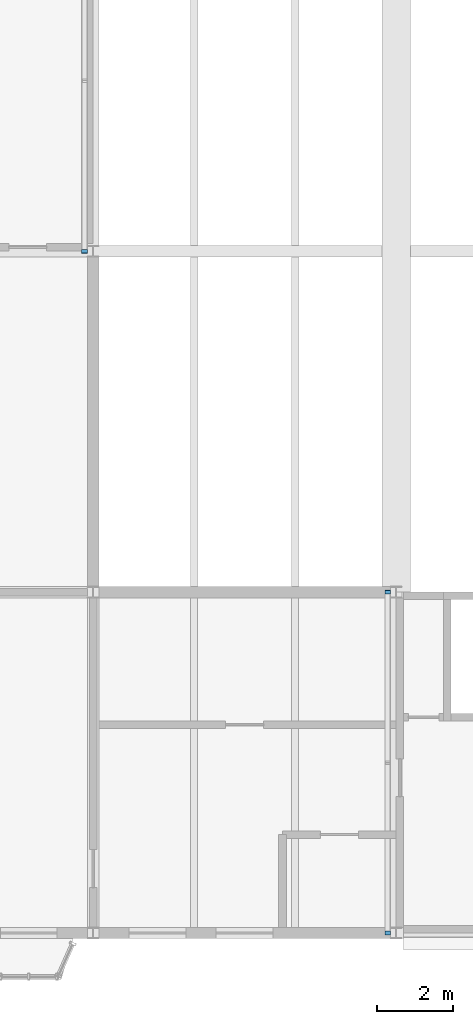
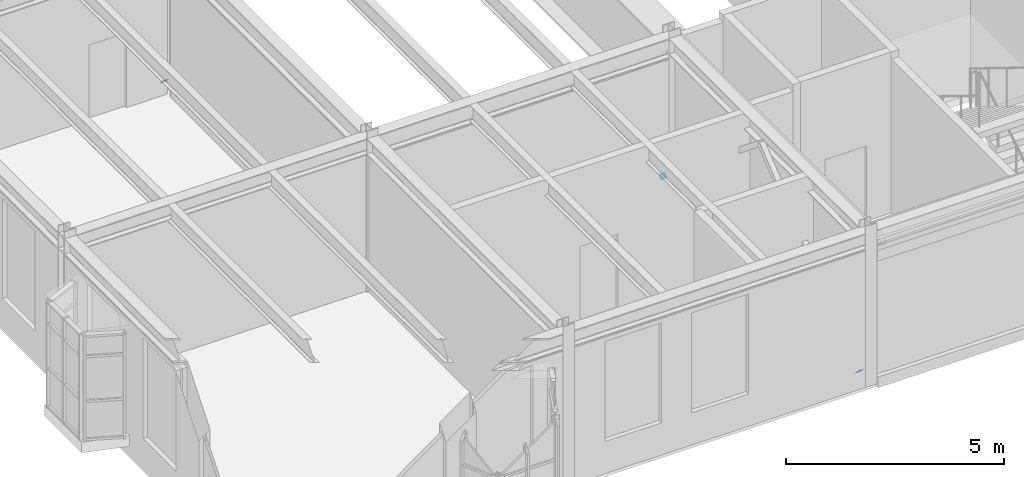
# One storey, part 111 of 153: 3 discrete accessories.
"""IFC4 building model written with IfcOpenShell, lengths in metres."""

from ifc_helpers import new_model, si_unit, direction, frame, origin, origin_2d, place, context, subcontext, project, spatial, rectangle, extrude, material, material_profile, profile_set, type_object, element, save


model = new_model("IFC4")

# Units and contexts
model_context = context("Model", 3, precision=1e-05, world=origin(), true_north=direction((0.0, 1.0)))
body_context = subcontext(model_context, "Body", "Model", "MODEL_VIEW")
ifc_project = project(units=[si_unit("LENGTHUNIT", "METRE"), si_unit("AREAUNIT", "SQUARE_METRE"), si_unit("VOLUMEUNIT", "CUBIC_METRE"), si_unit("PLANEANGLEUNIT", "RADIAN"), si_unit("MASSUNIT", "GRAM", prefix="KILO")], contexts=[model_context])

# Site, building, storey
site_placement = place(None, origin())
site = spatial("IfcSite", under=ifc_project, at=site_placement, CompositionType="ELEMENT")
building_placement = place(site_placement, origin())
building = spatial("IfcBuilding", under=site, at=building_placement, Name="Kallimachos Central Library", CompositionType="ELEMENT")
storey_placement = place(building_placement, frame((0.0, 0.0, 5.39990234375)))
storey = spatial("IfcBuildingStorey", under=building, at=storey_placement, Name="L01", CompositionType="ELEMENT", Elevation=5.39990234375)

# Discrete accessories
ifc_material = material(Name="Steel S355J2", Category="steel")
ifc_material_profile = material_profile(ifc_material, rectangle(XDim=0.14990234375, YDim=0.14990234375, at=origin_2d()), Name="End cap plate 10, 150x150")
ifc_profile_set = profile_set([ifc_material_profile], Name="Steel S355J2")
discrete_accessory_type = type_object("IfcDiscreteAccessoryType", Name="End cap plate 10, 150x150", PredefinedType="BRACKET", material=ifc_profile_set)
for number, where, z_axis, x_axis, name in (
    (1, (13.77490234375, 26.9921875, 0.393798828125), (0.0, 0.776114000116, 0.630592625094), (-1.0, 0.0, 0.0), "End cap plate"),
    (2, (21.77490234375, 8.9921875, 0.393798828125), (0.0, 0.776114000116, 0.630592625094), (-1.0, 0.0, 0.0), "End cap plate"),
    (3, (21.77490234375, 18.0078125, 0.393798828125), (0.0, -0.776114000116, 0.630592625094), (1.0, 0.0, 0.0), "End cap plate"),
):
    element("IfcDiscreteAccessory", number, at=place(storey_placement, frame(where, z_axis=z_axis, x_axis=x_axis)), inside=storey, type_object=discrete_accessory_type, Name=name, PredefinedType="BRACKET", context=body_context, shape_type="SweptSolid", body=[
        extrude(rectangle(XDim=0.14990234375, YDim=0.14990234375, at=origin_2d()), origin(), (0.0, 0.0, 1.0), 0.010009765625),
    ])

save(model, "model.ifc")
